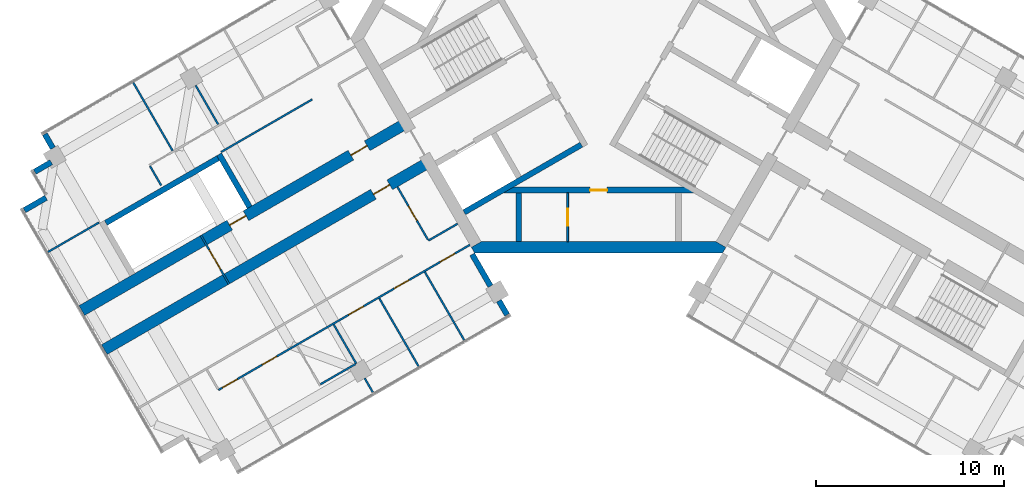
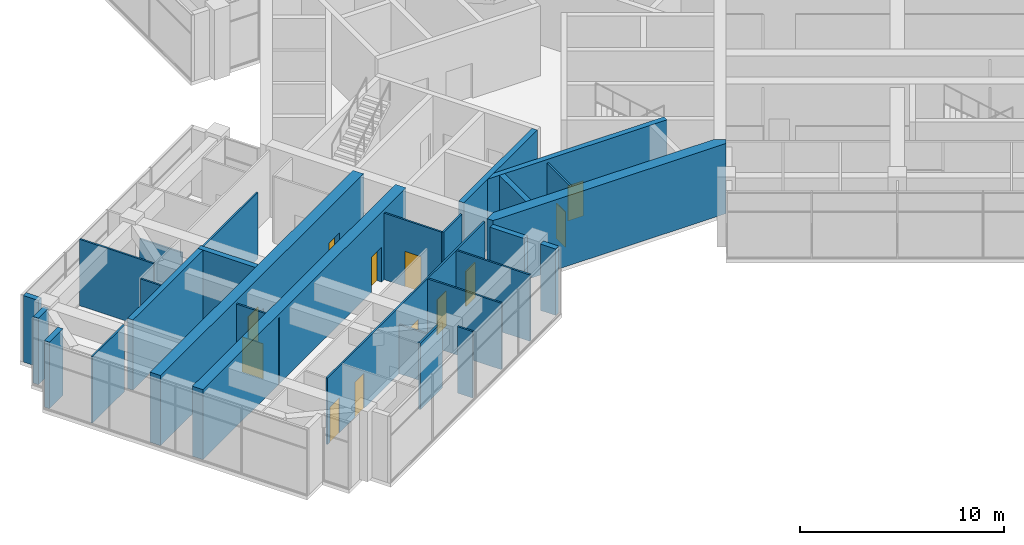
# One storey, part 9 of 14: 28 walls, 12 doors, 12 openings.
"""IFC4 building model written with IfcOpenShell, lengths in metres."""

from ifc_helpers import new_model, si_unit, direction, frame, frame_2d, origin, place, context, subcontext, project, spatial, polyline, rectangle, outline, extrude, material, layer, layer_set, type_object, element, fill, save


model = new_model("IFC4")

# Units and contexts
model_context = context("Model", 3, precision=1e-05, world=origin(), true_north=direction((0.0, 1.0)))
body_context = subcontext(model_context, "Body", "Model", "MODEL_VIEW")
ifc_project = project(units=[si_unit("LENGTHUNIT", "METRE"), si_unit("AREAUNIT", "SQUARE_METRE"), si_unit("VOLUMEUNIT", "CUBIC_METRE"), si_unit("PLANEANGLEUNIT", "RADIAN"), si_unit("MASSUNIT", "GRAM", prefix="KILO")], contexts=[model_context])

# Site, building, storey
site_placement = place(None, origin())
site = spatial("IfcSite", under=ifc_project, at=site_placement, CompositionType="ELEMENT")
building_placement = place(site_placement, origin())
building = spatial("IfcBuilding", under=site, at=building_placement, Name="Impinga Residences", CompositionType="ELEMENT")
storey_placement = place(building_placement, frame((0.0, 0.0, 278.949951171875)))
storey = spatial("IfcBuildingStorey", under=building, at=storey_placement, Name="L70", CompositionType="ELEMENT", Elevation=278.949951171875)

# Wall, opening, door
ifc_material_1 = material(Name="Concrete C60/75", Category="concrete")
ifc_layer_1 = layer(ifc_material_1, 0.60009765625)
ifc_layer_set_1 = layer_set([ifc_layer_1], Name="Concrete C60/75")
wall_type_1 = type_object("IfcWallType", Name="BW3 corridor buttress wall, L46 to L73 600", PredefinedType="SHEAR", material=ifc_layer_set_1)
wall_1_placement = place(storey_placement, frame((-9.040283203125, -6.60498046875, 0.0), z_axis=(0.0, 0.0, 1.0), x_axis=(-0.866025922281, -0.499999101937, 0.0)))
wall_1 = element("IfcWall", 1, at=wall_1_placement, inside=storey, type_object=wall_type_1, Name="Corridor wall BW3 WC L70", PredefinedType="SHEAR", context=body_context, shape_type="SweptSolid", body=[
    extrude(rectangle(XDim=19.93798828125, YDim=0.60009765625, at=frame_2d((9.968994140625, 0.0))), origin(), (0.0, 0.0, 1.0), 4.199951171875),
])
opening_1_placement = place(wall_1_placement, frame((2.39990234375, 0.0, 0.0)))
opening_1 = element("IfcOpeningElement", 2, at=opening_1_placement, cuts=wall_1, Name="Opening D1", PredefinedType="OPENING", context=body_context, shape_type="SweptSolid", body=[
    extrude(rectangle(XDim=1.0, YDim=2.10009765625, at=frame_2d((0.5, 1.050048828125))), frame((0.0, 0.31005859375, 0.0), z_axis=(0.0, -1.0, 0.0), x_axis=(1.0, 0.0, 0.0)), (0.0, 0.0, 1.0), 0.6201171875),
])
ifc_material_2 = material(Name="Timber door set", Category="wood")
door_type_1 = type_object("IfcDoorType", Name="D1 apartment entrance door 1000x2100", OperationType="SINGLE_SWING_LEFT", PredefinedType="DOOR", material=ifc_material_2)
door_1_placement = place(opening_1_placement, origin())
door_1 = element("IfcDoor", 3, at=door_1_placement, inside=storey, type_object=door_type_1, Name="Apartment L70-WA1 entrance", OperationType="SINGLE_SWING_LEFT", OverallHeight=2.10009765625, OverallWidth=1.0, PredefinedType="DOOR", context=body_context, shape_type="SweptSolid", body=[
    extrude(rectangle(XDim=1.0, YDim=2.10009765625, at=frame_2d((0.5, 1.050048828125))), frame((0.0, 0.02490234375, 0.0), z_axis=(0.0, -1.0, 0.0), x_axis=(1.0, 0.0, 0.0)), (0.0, 0.0, 1.0), 0.050048828125),
])
fill(opening_1, door_1)

# Wall, openings, doors
wall_2_placement = place(storey_placement, frame((-10.240234375, -4.526611328125, 0.0), z_axis=(0.0, 0.0, 1.0), x_axis=(-0.866025922281, -0.499999101937, 0.0)))
wall_2 = element("IfcWall", 4, at=wall_2_placement, inside=storey, type_object=wall_type_1, Name="Corridor wall BW3 WD L70", PredefinedType="SHEAR", context=body_context, shape_type="SweptSolid", body=[
    extrude(rectangle(XDim=19.93798828125, YDim=0.60009765625, at=frame_2d((9.968994140625, 0.0))), origin(), (0.0, 0.0, 1.0), 4.199951171875),
])
opening_2_placement = place(wall_2_placement, frame((9.85009765625, 0.0, 0.0)))
opening_2 = element("IfcOpeningElement", 5, at=opening_2_placement, cuts=wall_2, Name="Opening D5", PredefinedType="OPENING", context=body_context, shape_type="SweptSolid", body=[
    extrude(rectangle(XDim=1.0, YDim=2.10009765625, at=frame_2d((0.5, 1.050048828125))), frame((0.0, 0.31005859375, 0.0), z_axis=(0.0, -1.0, 0.0), x_axis=(1.0, 0.0, 0.0)), (0.0, 0.0, 1.0), 0.6201171875),
])
opening_3_placement = place(wall_2_placement, frame((2.39990234375, 0.0, 0.0)))
opening_3 = element("IfcOpeningElement", 6, at=opening_3_placement, cuts=wall_2, Name="Opening D1", PredefinedType="OPENING", context=body_context, shape_type="SweptSolid", body=[
    extrude(rectangle(XDim=1.0, YDim=2.10009765625, at=frame_2d((0.5, 1.050048828125))), frame((0.0, 0.31005859375, 0.0), z_axis=(0.0, -1.0, 0.0), x_axis=(1.0, 0.0, 0.0)), (0.0, 0.0, 1.0), 0.6201171875),
])
door_2_placement = place(opening_3_placement, origin())
door_2 = element("IfcDoor", 7, at=door_2_placement, inside=storey, type_object=door_type_1, Name="Apartment L70-WF1 entrance", OperationType="SINGLE_SWING_LEFT", OverallHeight=2.10009765625, OverallWidth=1.0, PredefinedType="DOOR", context=body_context, shape_type="SweptSolid", body=[
    extrude(rectangle(XDim=1.0, YDim=2.10009765625, at=frame_2d((0.5, 1.050048828125))), frame((0.0, 0.02490234375, 0.0), z_axis=(0.0, -1.0, 0.0), x_axis=(1.0, 0.0, 0.0)), (0.0, 0.0, 1.0), 0.050048828125),
])
fill(opening_3, door_2)
door_type_2 = type_object("IfcDoorType", Name="D5 stair door 1000x2100", OperationType="SINGLE_SWING_LEFT", PredefinedType="DOOR", material=ifc_material_2)
door_3_placement = place(opening_2_placement, origin())
door_3 = element("IfcDoor", 8, at=door_3_placement, inside=storey, type_object=door_type_2, Name="Wing stair door W", OperationType="SINGLE_SWING_RIGHT", OverallHeight=2.10009765625, OverallWidth=1.0, PredefinedType="DOOR", context=body_context, shape_type="SweptSolid", body=[
    extrude(rectangle(XDim=1.0, YDim=2.10009765625, at=frame_2d((0.5, 1.050048828125))), frame((0.0, 0.02490234375, 0.0), z_axis=(0.0, -1.0, 0.0), x_axis=(1.0, 0.0, 0.0)), (0.0, 0.0, 1.0), 0.050048828125),
])
fill(opening_2, door_3)

# Wall, opening, door
ifc_material_3 = material(Name="Concrete blockwork", Category="masonry")
ifc_layer_2 = layer(ifc_material_3, 0.10009765625)
ifc_layer_set_2 = layer_set([ifc_layer_2], Name="CP1 core room partition, blockwork 100")
wall_type_2 = type_object("IfcWallType", Name="CP1 core room partition, blockwork 100", PredefinedType="PARTITIONING", material=ifc_layer_set_2)
wall_3_placement = place(storey_placement, frame((-1.64990234375, -8.2314453125, 0.0), z_axis=(0.0, 0.0, 1.0), x_axis=(0.0, -1.0, 0.0)))
wall_3 = element("IfcWall", 9, at=wall_3_placement, inside=storey, type_object=wall_type_2, Name="Core room partition, blockwork L70:CORE:low:ZP1", PredefinedType="PARTITIONING", context=body_context, shape_type="SweptSolid", body=[
    extrude(rectangle(XDim=2.60009765625, YDim=0.10009765625, at=frame_2d((1.300048828125, 0.0))), origin(), (0.0, 0.0, 1.0), 3.97998046875),
])
opening_4_placement = place(wall_3_placement, frame((0.85009765625, 0.0, 0.0)))
opening_4 = element("IfcOpeningElement", 10, at=opening_4_placement, cuts=wall_3, Name="Opening D6", PredefinedType="OPENING", context=body_context, shape_type="SweptSolid", body=[
    extrude(rectangle(XDim=0.89990234375, YDim=2.10009765625, at=frame_2d((0.449951171875, 1.050048828125))), frame((0.0, 0.06005859375, 0.0), z_axis=(0.0, -1.0, 0.0), x_axis=(1.0, 0.0, 0.0)), (0.0, 0.0, 1.0), 0.1201171875),
])
door_type_3 = type_object("IfcDoorType", Name="D6 riser and store door 900x2100", OperationType="SINGLE_SWING_LEFT", PredefinedType="DOOR", material=ifc_material_2)
door_4_placement = place(opening_4_placement, origin())
door_4 = element("IfcDoor", 11, at=door_4_placement, inside=storey, type_object=door_type_3, Name="Residents' storage lockers door", OperationType="SINGLE_SWING_LEFT", OverallHeight=2.10009765625, OverallWidth=0.89990234375, PredefinedType="DOOR", context=body_context, shape_type="SweptSolid", body=[
    extrude(rectangle(XDim=0.89990234375, YDim=2.10009765625, at=frame_2d((0.449951171875, 1.050048828125))), frame((0.0, 0.02490234375, 0.0), z_axis=(0.0, -1.0, 0.0), x_axis=(1.0, 0.0, 0.0)), (0.0, 0.0, 1.0), 0.050048828125),
])
fill(opening_4, door_4)

wall_4_placement = place(storey_placement, frame((-19.672119140625, -13.08984375, 0.0), z_axis=(0.0, 0.0, 1.0), x_axis=(-0.499990139034, 0.866031096941, 0.0)))
wall_4 = element("IfcWall", 12, at=wall_4_placement, inside=storey, type_object=wall_type_2, Name="Core room partition, blockwork L70:W:LNG", PredefinedType="PARTITIONING", context=body_context, shape_type="SweptSolid", body=[
    extrude(rectangle(XDim=3.0, YDim=0.10009765625, at=frame_2d((1.5, 0.0))), origin(), (0.0, 0.0, 1.0), 3.97998046875),
])
opening_5_placement = place(wall_4_placement, frame((0.89990234375, 0.0, 0.0)))
opening_5 = element("IfcOpeningElement", 13, at=opening_5_placement, cuts=wall_4, Name="Opening D3", PredefinedType="OPENING", context=body_context, shape_type="SweptSolid", body=[
    extrude(rectangle(XDim=1.199951171875, YDim=2.10009765625, at=frame_2d((0.60009765625, 1.050048828125))), frame((0.0, 0.06005859375, 0.0), z_axis=(0.0, -1.0, 0.0), x_axis=(1.0, 0.0, 0.0)), (0.0, 0.0, 1.0), 0.1201171875),
])
door_type_4 = type_object("IfcDoorType", Name="D3 room door, leaf and a half 1200x2100", OperationType="DOUBLE_SWING_LEFT", PredefinedType="DOOR", material=ifc_material_2)
door_5_placement = place(opening_5_placement, origin())
door_5 = element("IfcDoor", 14, at=door_5_placement, inside=storey, type_object=door_type_4, Name="Residents' lounge door W", OperationType="DOUBLE_SWING_LEFT", OverallHeight=2.10009765625, OverallWidth=1.199951171875, PredefinedType="DOOR", context=body_context, shape_type="SweptSolid", body=[
    extrude(rectangle(XDim=1.199951171875, YDim=2.10009765625, at=frame_2d((0.60009765625, 1.050048828125))), frame((0.0, 0.02490234375, 0.0), z_axis=(0.0, -1.0, 0.0), x_axis=(1.0, 0.0, 0.0)), (0.0, 0.0, 1.0), 0.050048828125),
])
fill(opening_5, door_5)

# Walls
ifc_material_4 = material(Name="Stone facing on blockwork", Category="masonry")
ifc_layer_3 = layer(ifc_material_4, 0.300048828125)
ifc_layer_set_3 = layer_set([ifc_layer_3], Name="EW2 external wall, stone facing on blockwork 300")
wall_type_3 = type_object("IfcWallType", Name="EW2 external wall, stone facing on blockwork 300", PredefinedType="SOLIDWALL", material=ifc_layer_set_3)
wall_5_placement = place(storey_placement, frame((-30.56201171875, -9.157958984375, 0.0), z_axis=(0.0, 0.0, 1.0), x_axis=(0.866020521143, 0.500008456887, 0.0)))
element("IfcWall", 15, at=wall_5_placement, inside=storey, type_object=wall_type_3, Name="External wall EW2 L70", PredefinedType="SOLIDWALL", context=body_context, shape_type="SweptSolid", body=[
    extrude(rectangle(XDim=1.330078125, YDim=0.300048828125, at=frame_2d((0.6650390625, 0.0))), origin(), (0.0, 0.0, 1.0), 3.97998046875),
])
wall_6_placement = place(storey_placement, frame((-30.012939453125, -7.10888671875, 0.0), z_axis=(0.0, 0.0, 1.0), x_axis=(0.866073420066, 0.499916824138, 0.0)))
element("IfcWall", 16, at=wall_6_placement, inside=storey, type_object=wall_type_3, Name="External wall EW2 L70", PredefinedType="SOLIDWALL", context=body_context, shape_type="SweptSolid", body=[
    extrude(rectangle(XDim=1.014892578125, YDim=0.300048828125, at=frame_2d((0.50732421875, 0.0))), origin(), (0.0, 0.0, 1.0), 3.97998046875),
])
wall_7_placement = place(storey_placement, frame((-29.0458984375, -5.854248046875, 0.0), z_axis=(0.0, 0.0, 1.0), x_axis=(-0.499885902046, 0.866091268248, 0.0)))
element("IfcWall", 17, at=wall_7_placement, inside=storey, type_object=wall_type_3, Name="External wall EW2 L70", PredefinedType="SOLIDWALL", context=body_context, shape_type="SweptSolid", body=[
    extrude(rectangle(XDim=0.862060546875, YDim=0.300048828125, at=frame_2d((0.43115234375, 0.0))), origin(), (0.0, 0.0, 1.0), 3.97998046875),
])
wall_8_placement = place(storey_placement, frame((-6.72998046875, -11.506591796875, 0.0), z_axis=(0.0, 0.0, 1.0), x_axis=(0.500043961785, -0.866000020948, 0.0)))
element("IfcWall", 18, at=wall_8_placement, inside=storey, type_object=wall_type_3, Name="External wall EW2 L70", PredefinedType="SOLIDWALL", context=body_context, shape_type="SweptSolid", body=[
    extrude(rectangle(XDim=1.949951171875, YDim=0.300048828125, at=frame_2d((0.97509765625, 0.0))), origin(), (0.0, 0.0, 1.0), 3.97998046875),
])
wall_9_placement = place(storey_placement, frame((-5.304931640625, -13.974609375, 0.0), z_axis=(0.0, 0.0, 1.0), x_axis=(0.500023708017, -0.866011715522, 0.0)))
element("IfcWall", 19, at=wall_9_placement, inside=storey, type_object=wall_type_3, Name="External wall EW2 L70", PredefinedType="SOLIDWALL", context=body_context, shape_type="SweptSolid", body=[
    extrude(rectangle(XDim=0.865234375, YDim=0.300048828125, at=frame_2d((0.4326171875, 0.0))), origin(), (0.0, 0.0, 1.0), 3.97998046875),
])
ifc_material_5 = material(Name="Gypsum board on steel studs", Category="steel")
ifc_layer_4 = layer(ifc_material_5, 0.10009765625)
ifc_layer_set_4 = layer_set([ifc_layer_4], Name="Gypsum board on steel studs")
wall_type_4 = type_object("IfcWallType", Name="IP1 partition 100", PredefinedType="PARTITIONING", material=ifc_layer_set_4)
wall_10_placement = place(storey_placement, frame((-7.5, -9.872802734375, 0.0), z_axis=(0.0, 0.0, 1.0), x_axis=(-0.866047807691, -0.499961193289, 0.0)))
element("IfcWall", 20, at=wall_10_placement, inside=storey, type_object=wall_type_4, Name="Partition L70-WA1:DIV0", PredefinedType="PARTITIONING", context=body_context, shape_type="SweptSolid", body=[
    extrude(rectangle(XDim=1.800048828125, YDim=0.10009765625, at=frame_2d((0.89990234375, 0.0))), origin(), (0.0, 0.0, 1.0), 3.97998046875),
])

# Wall, openings, doors
wall_11_placement = place(storey_placement, frame((-6.85009765625, -10.99853515625, 0.0), z_axis=(0.0, 0.0, 1.0), x_axis=(-0.866019273868, -0.500010617176, 0.0)))
wall_11 = element("IfcWall", 21, at=wall_11_placement, inside=storey, type_object=wall_type_4, Name="Partition L70-WA1:STRIP", PredefinedType="PARTITIONING", context=body_context, shape_type="SweptSolid", body=[
    extrude(rectangle(XDim=15.449951171875, YDim=0.10009765625, at=frame_2d((7.72509765625, 0.0))), origin(), (0.0, 0.0, 1.0), 3.97998046875),
])
opening_6_placement = place(wall_11_placement, frame((0.925048828125, 0.0, 0.0)))
opening_6 = element("IfcOpeningElement", 22, at=opening_6_placement, cuts=wall_11, Name="Opening D2", PredefinedType="OPENING", context=body_context, shape_type="SweptSolid", body=[
    extrude(rectangle(XDim=0.89990234375, YDim=2.10009765625, at=frame_2d((0.449951171875, 1.050048828125))), frame((0.0, 0.06005859375, 0.0), z_axis=(0.0, -1.0, 0.0), x_axis=(1.0, 0.0, 0.0)), (0.0, 0.0, 1.0), 0.1201171875),
])
opening_7_placement = place(wall_11_placement, frame((3.75, 0.0, 0.0)))
opening_7 = element("IfcOpeningElement", 23, at=opening_7_placement, cuts=wall_11, Name="Opening D2", PredefinedType="OPENING", context=body_context, shape_type="SweptSolid", body=[
    extrude(rectangle(XDim=0.89990234375, YDim=2.10009765625, at=frame_2d((0.449951171875, 1.050048828125))), frame((0.0, 0.06005859375, 0.0), z_axis=(0.0, -1.0, 0.0), x_axis=(1.0, 0.0, 0.0)), (0.0, 0.0, 1.0), 0.1201171875),
])
opening_8_placement = place(wall_11_placement, frame((6.550048828125, 0.0, 0.0)))
opening_8 = element("IfcOpeningElement", 24, at=opening_8_placement, cuts=wall_11, Name="Opening D2", PredefinedType="OPENING", context=body_context, shape_type="SweptSolid", body=[
    extrude(rectangle(XDim=0.89990234375, YDim=2.10009765625, at=frame_2d((0.449951171875, 1.050048828125))), frame((0.0, 0.06005859375, 0.0), z_axis=(0.0, -1.0, 0.0), x_axis=(1.0, 0.0, 0.0)), (0.0, 0.0, 1.0), 0.1201171875),
])
opening_9_placement = place(wall_11_placement, frame((11.875, 0.0, 0.0)))
opening_9 = element("IfcOpeningElement", 25, at=opening_9_placement, cuts=wall_11, Name="Opening D2", PredefinedType="OPENING", context=body_context, shape_type="SweptSolid", body=[
    extrude(rectangle(XDim=0.89990234375, YDim=2.10009765625, at=frame_2d((0.449951171875, 1.050048828125))), frame((0.0, 0.06005859375, 0.0), z_axis=(0.0, -1.0, 0.0), x_axis=(1.0, 0.0, 0.0)), (0.0, 0.0, 1.0), 0.1201171875),
])
opening_10_placement = place(wall_11_placement, frame((14.300048828125, 0.0, 0.0)))
opening_10 = element("IfcOpeningElement", 26, at=opening_10_placement, cuts=wall_11, Name="Opening D2", PredefinedType="OPENING", context=body_context, shape_type="SweptSolid", body=[
    extrude(rectangle(XDim=0.89990234375, YDim=2.10009765625, at=frame_2d((0.449951171875, 1.050048828125))), frame((0.0, 0.06005859375, 0.0), z_axis=(0.0, -1.0, 0.0), x_axis=(1.0, 0.0, 0.0)), (0.0, 0.0, 1.0), 0.1201171875),
])
door_type_5 = type_object("IfcDoorType", Name="D2 internal door 900x2100", OperationType="SINGLE_SWING_LEFT", PredefinedType="DOOR", material=ifc_material_2)
door_6_placement = place(opening_6_placement, origin())
door_6 = element("IfcDoor", 27, at=door_6_placement, inside=storey, type_object=door_type_5, Name="Apartment L70-WA1 room door", OperationType="SINGLE_SWING_LEFT", OverallHeight=2.10009765625, OverallWidth=0.89990234375, PredefinedType="DOOR", context=body_context, shape_type="SweptSolid", body=[
    extrude(rectangle(XDim=0.89990234375, YDim=2.10009765625, at=frame_2d((0.449951171875, 1.050048828125))), frame((0.0, 0.02490234375, 0.0), z_axis=(0.0, -1.0, 0.0), x_axis=(1.0, 0.0, 0.0)), (0.0, 0.0, 1.0), 0.050048828125),
])
fill(opening_6, door_6)
door_7_placement = place(opening_7_placement, origin())
door_7 = element("IfcDoor", 28, at=door_7_placement, inside=storey, type_object=door_type_5, Name="Apartment L70-WA1 room door", OperationType="SINGLE_SWING_LEFT", OverallHeight=2.10009765625, OverallWidth=0.89990234375, PredefinedType="DOOR", context=body_context, shape_type="SweptSolid", body=[
    extrude(rectangle(XDim=0.89990234375, YDim=2.10009765625, at=frame_2d((0.449951171875, 1.050048828125))), frame((0.0, 0.02490234375, 0.0), z_axis=(0.0, -1.0, 0.0), x_axis=(1.0, 0.0, 0.0)), (0.0, 0.0, 1.0), 0.050048828125),
])
fill(opening_7, door_7)
door_8_placement = place(opening_8_placement, origin())
door_8 = element("IfcDoor", 29, at=door_8_placement, inside=storey, type_object=door_type_5, Name="Apartment L70-WA1 room door", OperationType="SINGLE_SWING_LEFT", OverallHeight=2.10009765625, OverallWidth=0.89990234375, PredefinedType="DOOR", context=body_context, shape_type="SweptSolid", body=[
    extrude(rectangle(XDim=0.89990234375, YDim=2.10009765625, at=frame_2d((0.449951171875, 1.050048828125))), frame((0.0, 0.02490234375, 0.0), z_axis=(0.0, -1.0, 0.0), x_axis=(1.0, 0.0, 0.0)), (0.0, 0.0, 1.0), 0.050048828125),
])
fill(opening_8, door_8)
door_9_placement = place(opening_9_placement, origin())
door_9 = element("IfcDoor", 30, at=door_9_placement, inside=storey, type_object=door_type_5, Name="Apartment L70-WA1 room door", OperationType="SINGLE_SWING_RIGHT", OverallHeight=2.10009765625, OverallWidth=0.89990234375, PredefinedType="DOOR", context=body_context, shape_type="SweptSolid", body=[
    extrude(rectangle(XDim=0.89990234375, YDim=2.10009765625, at=frame_2d((0.449951171875, 1.050048828125))), frame((0.0, 0.02490234375, 0.0), z_axis=(0.0, -1.0, 0.0), x_axis=(1.0, 0.0, 0.0)), (0.0, 0.0, 1.0), 0.050048828125),
])
fill(opening_9, door_9)
door_10_placement = place(opening_10_placement, origin())
door_10 = element("IfcDoor", 31, at=door_10_placement, inside=storey, type_object=door_type_5, Name="Apartment L70-WA1 room door", OperationType="SINGLE_SWING_RIGHT", OverallHeight=2.10009765625, OverallWidth=0.89990234375, PredefinedType="DOOR", context=body_context, shape_type="SweptSolid", body=[
    extrude(rectangle(XDim=0.89990234375, YDim=2.10009765625, at=frame_2d((0.449951171875, 1.050048828125))), frame((0.0, 0.02490234375, 0.0), z_axis=(0.0, -1.0, 0.0), x_axis=(1.0, 0.0, 0.0)), (0.0, 0.0, 1.0), 0.050048828125),
])
fill(opening_10, door_10)

# Wall, opening, door
wall_12_placement = place(storey_placement, frame((-10.708740234375, -7.914794921875, 0.0), z_axis=(0.0, 0.0, 1.0), x_axis=(0.499984717929, -0.866034226713, 0.0)))
wall_12 = element("IfcWall", 32, at=wall_12_placement, inside=storey, type_object=wall_type_4, Name="Partition L70-WA1:IB1", PredefinedType="PARTITIONING", context=body_context, shape_type="SweptSolid", body=[
    extrude(rectangle(XDim=3.25, YDim=0.10009765625, at=frame_2d((1.625, 0.0))), origin(), (0.0, 0.0, 1.0), 3.97998046875),
])
opening_11_placement = place(wall_12_placement, frame((1.175048828125, 0.0, 0.0)))
opening_11 = element("IfcOpeningElement", 33, at=opening_11_placement, cuts=wall_12, Name="Opening D2", PredefinedType="OPENING", context=body_context, shape_type="SweptSolid", body=[
    extrude(rectangle(XDim=0.89990234375, YDim=2.10009765625, at=frame_2d((0.449951171875, 1.050048828125))), frame((0.0, 0.06005859375, 0.0), z_axis=(0.0, -1.0, 0.0), x_axis=(1.0, 0.0, 0.0)), (0.0, 0.0, 1.0), 0.1201171875),
])
door_11_placement = place(opening_11_placement, origin())
door_11 = element("IfcDoor", 34, at=door_11_placement, inside=storey, type_object=door_type_5, Name="Apartment L70-WA1 bathroom door", OperationType="SINGLE_SWING_LEFT", OverallHeight=2.10009765625, OverallWidth=0.89990234375, PredefinedType="DOOR", context=body_context, shape_type="SweptSolid", body=[
    extrude(rectangle(XDim=0.89990234375, YDim=2.10009765625, at=frame_2d((0.449951171875, 1.050048828125))), frame((0.0, 0.02490234375, 0.0), z_axis=(0.0, -1.0, 0.0), x_axis=(1.0, 0.0, 0.0)), (0.0, 0.0, 1.0), 0.050048828125),
])
fill(opening_11, door_11)

# Walls
for number, where, z_axis, x_axis, name in (
    (35, (-9.249755859375, -12.44189453125, 0.0), (0.0, 0.0, 1.0), (0.500008475426, -0.86602051044, 0.0), "Partition L70-WA1:OB1"),
    (36, (-11.6748046875, -13.841796875, 0.0), (0.0, 0.0, 1.0), (0.500008475426, -0.86602051044, 0.0), "Partition L70-WA1:OB2"),
):
    element("IfcWall", number, at=place(storey_placement, frame(where, z_axis=z_axis, x_axis=x_axis)), inside=storey, type_object=wall_type_4, Name=name, PredefinedType="PARTITIONING", context=body_context, shape_type="SweptSolid", body=[
        extrude(rectangle(XDim=4.18701171875, YDim=0.10009765625, at=frame_2d((2.093505859375, 0.0))), origin(), (0.0, 0.0, 1.0), 3.97998046875),
    ])
wall_13_placement = place(storey_placement, frame((-14.099609375, -15.241943359375, 0.0), z_axis=(0.0, 0.0, 1.0), x_axis=(0.500001309137, -0.866024647952, 0.0)))
element("IfcWall", 37, at=wall_13_placement, inside=storey, type_object=wall_type_4, Name="Partition L70-WA1:OB3", PredefinedType="PARTITIONING", context=body_context, shape_type="SweptSolid", body=[
    extrude(rectangle(XDim=2.39990234375, YDim=0.10009765625, at=frame_2d((1.199951171875, 0.0))), origin(), (0.0, 0.0, 1.0), 2.929931640625),
])
wall_14_placement = place(storey_placement, frame((-12.44970703125, -18.099609375, 0.0), z_axis=(0.0, 0.0, 1.0), x_axis=(0.500014901547, -0.866016800201, 0.0)))
element("IfcWall", 38, at=wall_14_placement, inside=storey, type_object=wall_type_4, Name="Partition L70-WA1:OB3b", PredefinedType="PARTITIONING", context=body_context, shape_type="SweptSolid", body=[
    extrude(rectangle(XDim=0.8671875, YDim=0.10009765625, at=frame_2d((0.43359375, 0.0))), origin(), (0.0, 0.0, 1.0), 3.97998046875),
])
wall_15_placement = place(storey_placement, frame((-12.94287109375, -17.34521484375, 0.0), z_axis=(0.0, 0.0, 1.0), x_axis=(-0.866047553582, -0.499961633463, 0.0)))
element("IfcWall", 39, at=wall_15_placement, inside=storey, type_object=wall_type_4, Name="Partition L70-WA1:EN2", PredefinedType="PARTITIONING", context=body_context, shape_type="SweptSolid", body=[
    extrude(rectangle(XDim=2.150146484375, YDim=0.10009765625, at=frame_2d((1.0751953125, 0.0))), origin(), (0.0, 0.0, 1.0), 3.97998046875),
])
wall_16_placement = place(storey_placement, frame((-15.244384765625, -3.2587890625, 0.0), z_axis=(0.0, 0.0, 1.0), x_axis=(-0.866026594901, -0.49999793692, 0.0)))
element("IfcWall", 40, at=wall_16_placement, inside=storey, type_object=wall_type_4, Name="Partition L70-WF1:DIV1", PredefinedType="PARTITIONING", context=body_context, shape_type="SweptSolid", body=[
    extrude(rectangle(XDim=5.60009765625, YDim=0.10009765625, at=frame_2d((2.800048828125, 0.0))), origin(), (0.0, 0.0, 1.0), 3.97998046875),
])
wall_17_placement = place(storey_placement, frame((-26.58935546875, -9.808837890625, 0.0), z_axis=(0.0, 0.0, 1.0), x_axis=(-0.866017106955, -0.500014370254, 0.0)))
element("IfcWall", 41, at=wall_17_placement, inside=storey, type_object=wall_type_4, Name="Partition L70-WF1:DIV2", PredefinedType="PARTITIONING", context=body_context, shape_type="SweptSolid", body=[
    extrude(rectangle(XDim=3.13720703125, YDim=0.10009765625, at=frame_2d((1.568603515625, 0.0))), origin(), (0.0, 0.0, 1.0), 3.97998046875),
])
wall_18_placement = place(storey_placement, frame((-23.2802734375, -7.840576171875, 0.0), z_axis=(0.0, 0.0, 1.0), x_axis=(-0.499880961361, 0.866094119867, 0.0)))
element("IfcWall", 42, at=wall_18_placement, inside=storey, type_object=wall_type_4, Name="Partition L70-WF1:SE1", PredefinedType="PARTITIONING", context=body_context, shape_type="SweptSolid", body=[
    extrude(rectangle(XDim=1.199951171875, YDim=0.10009765625, at=frame_2d((0.60009765625, 0.0))), origin(), (0.0, 0.0, 1.0), 3.97998046875),
])
wall_19_placement = place(storey_placement, frame((-20.24951171875, -4.589599609375, 0.0), z_axis=(0.0, 0.0, 1.0), x_axis=(-0.500077600433, 0.865980596518, 0.0)))
element("IfcWall", 43, at=wall_19_placement, inside=storey, type_object=wall_type_4, Name="Partition L70-WF1:OB2", PredefinedType="PARTITIONING", context=body_context, shape_type="SweptSolid", body=[
    extrude(rectangle(XDim=2.39990234375, YDim=0.10009765625, at=frame_2d((1.199951171875, 0.0))), origin(), (0.0, 0.0, 1.0), 2.929931640625),
])
wall_20_placement = place(storey_placement, frame((-22.674560546875, -5.98974609375, 0.0), z_axis=(0.0, 0.0, 1.0), x_axis=(-0.500008475426, 0.86602051044, 0.0)))
element("IfcWall", 44, at=wall_20_placement, inside=storey, type_object=wall_type_4, Name="Partition L70-WF1:OB3", PredefinedType="PARTITIONING", context=body_context, shape_type="SweptSolid", body=[
    extrude(rectangle(XDim=4.18701171875, YDim=0.10009765625, at=frame_2d((2.093505859375, 0.0))), origin(), (0.0, 0.0, 1.0), 3.97998046875),
])
ifc_layer_5 = layer(ifc_material_1, 0.300048828125)
ifc_layer_set_5 = layer_set([ifc_layer_5], Name="Concrete C60/75")
wall_type_5 = type_object("IfcWallType", Name="SE1 wing stair enclosure wall 300", PredefinedType="SOLIDWALL", material=ifc_layer_set_5)
wall_21_placement = place(storey_placement, frame((-18.57421875, -8.99169921875, 0.0), z_axis=(0.0, 0.0, 1.0), x_axis=(-0.500017246033, 0.866015446554, 0.0)))
element("IfcWall", 45, at=wall_21_placement, inside=storey, type_object=wall_type_5, Name="Stair enclosure wall SE1 W END0 L70", PredefinedType="SOLIDWALL", context=body_context, shape_type="SweptSolid", body=[
    extrude(rectangle(XDim=3.25, YDim=0.300048828125, at=frame_2d((1.625, 0.0))), origin(), (0.0, 0.0, 1.0), 4.199951171875),
])
wall_22_placement = place(storey_placement, frame((-20.254150390625, -6.382080078125, 0.0), z_axis=(0.0, 0.0, 1.0), x_axis=(-0.866020008033, -0.500009345598, 0.0)))
element("IfcWall", 46, at=wall_22_placement, inside=storey, type_object=wall_type_5, Name="Stair enclosure wall SE1 W OUT L70", PredefinedType="SOLIDWALL", context=body_context, shape_type="SweptSolid", body=[
    extrude(rectangle(XDim=6.899658203125, YDim=0.300048828125, at=frame_2d((3.44970703125, 0.0))), origin(), (0.0, 0.0, 1.0), 4.199951171875),
])
ifc_layer_6 = layer(ifc_material_1, 0.60009765625)
ifc_layer_set_6 = layer_set([ifc_layer_6], Name="Concrete C60/75")
wall_type_6 = type_object("IfcWallType", Name="SW4 core wall, crown 600", PredefinedType="SHEAR", material=ifc_layer_set_6)
wall_23_placement = place(storey_placement, origin())
element("IfcWall", 47, at=wall_23_placement, inside=storey, type_object=wall_type_6, Name="Core wall SW4 N:EXPOSED L70", PredefinedType="SHEAR", context=body_context, shape_type="SweptSolid", body=[
    extrude(outline(polyline([(-6.60009765625, -11.431640625), (6.60009765625, -11.431640625), (6.773193359375, -11.131591796875), (6.253662109375, -10.83154296875), (-6.253662109375, -10.83154296875), (-6.773193359375, -11.131591796875), (-6.60009765625, -11.431640625)])), origin(), (0.0, 0.0, 1.0), 4.199951171875),
])
ifc_material_6 = material(Name="Concrete C70/85", Category="concrete")
ifc_layer_7 = layer(ifc_material_6, 0.300048828125)
ifc_layer_set_7 = layer_set([ifc_layer_7], Name="Concrete C70/85")
wall_type_7 = type_object("IfcWallType", Name="SW5 core inner wall, stairs, shafts and lobbies 300", PredefinedType="SHEAR", material=ifc_layer_set_7)
wall_24_placement = place(storey_placement, frame((-0.918701171875, -5.668701171875, 0.0), z_axis=(0.0, 0.0, 1.0), x_axis=(-0.866016781112, -0.50001493461, 0.0)))
element("IfcWall", 48, at=wall_24_placement, inside=storey, type_object=wall_type_7, Name="Core wall SW5 W:FF-OUT L70", PredefinedType="SHEAR", context=body_context, shape_type="SweptSolid", body=[
    extrude(rectangle(XDim=7.201416015625, YDim=0.300048828125, at=frame_2d((3.6005859375, 0.0))), origin(), (0.0, 0.0, 1.0), 4.199951171875),
])

# Wall, opening, door
wall_25_placement = place(storey_placement, frame((5.09765625, -8.08154296875, 0.0), z_axis=(0.0, 0.0, 1.0), x_axis=(-1.0, 0.0, 0.0)))
wall_25 = element("IfcWall", 49, at=wall_25_placement, inside=storey, type_object=wall_type_7, Name="Core wall SW5 N:BANK-FRONT L70", PredefinedType="SHEAR", context=body_context, shape_type="SweptSolid", body=[
    extrude(rectangle(XDim=10.1953125, YDim=0.300048828125, at=frame_2d((5.09765625, 0.0))), origin(), (0.0, 0.0, 1.0), 4.199951171875),
])
opening_12_placement = place(wall_25_placement, frame((4.647705078125, 0.0, 0.0)))
opening_12 = element("IfcOpeningElement", 50, at=opening_12_placement, cuts=wall_25, Name="Opening D6", PredefinedType="OPENING", context=body_context, shape_type="SweptSolid", body=[
    extrude(rectangle(XDim=0.89990234375, YDim=2.10009765625, at=frame_2d((0.449951171875, 1.050048828125))), frame((0.0, 0.159912109375, 0.0), z_axis=(0.0, -1.0, 0.0), x_axis=(1.0, 0.0, 0.0)), (0.0, 0.0, 1.0), 0.320068359375),
])
door_12_placement = place(opening_12_placement, origin())
door_12 = element("IfcDoor", 51, at=door_12_placement, inside=storey, type_object=door_type_3, Name="Residents' study door", OperationType="SINGLE_SWING_LEFT", OverallHeight=2.10009765625, OverallWidth=0.89990234375, PredefinedType="DOOR", context=body_context, shape_type="SweptSolid", body=[
    extrude(rectangle(XDim=0.89990234375, YDim=2.10009765625, at=frame_2d((0.449951171875, 1.050048828125))), frame((0.0, 0.02490234375, 0.0), z_axis=(0.0, -1.0, 0.0), x_axis=(1.0, 0.0, 0.0)), (0.0, 0.0, 1.0), 0.050048828125),
])
fill(opening_12, door_12)

# Wall
wall_26_placement = place(storey_placement, frame((-4.25, -8.2314453125, 0.0), z_axis=(0.0, 0.0, 1.0), x_axis=(0.0, -1.0, 0.0)))
element("IfcWall", 52, at=wall_26_placement, inside=storey, type_object=wall_type_7, Name="Core wall SW5 N:BANK-R L70", PredefinedType="SHEAR", context=body_context, shape_type="SweptSolid", body=[
    extrude(rectangle(XDim=2.60009765625, YDim=0.300048828125, at=frame_2d((1.300048828125, 0.0))), origin(), (0.0, 0.0, 1.0), 4.199951171875),
])

save(model, "model.ifc")
